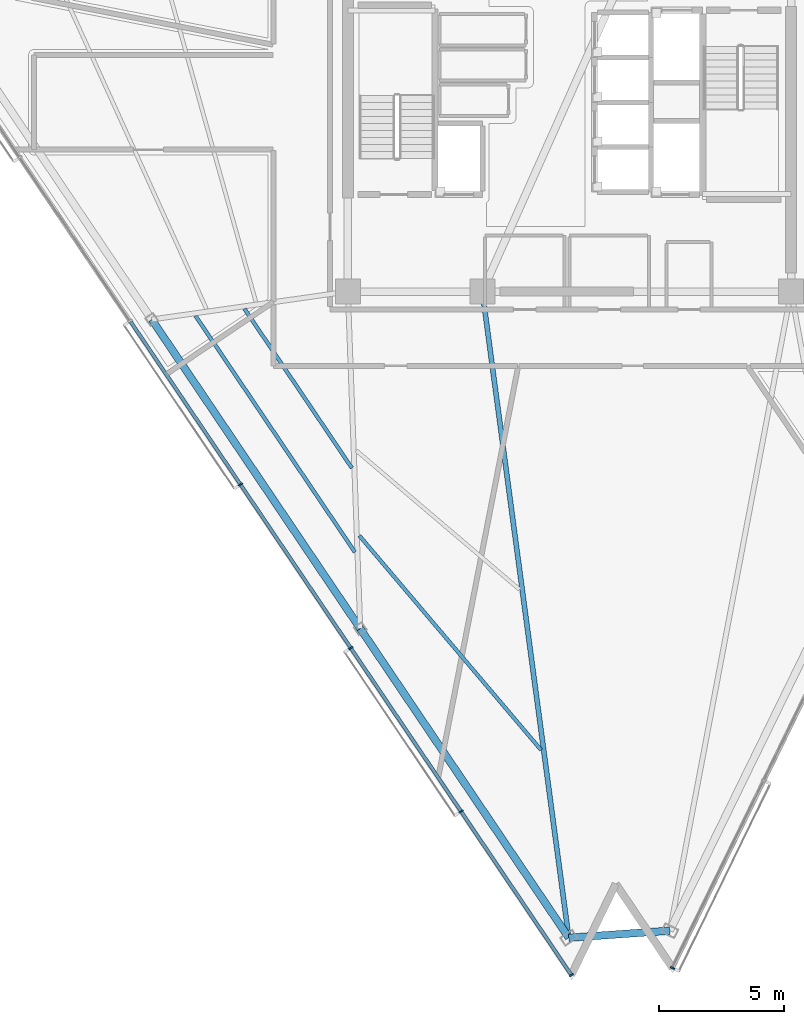
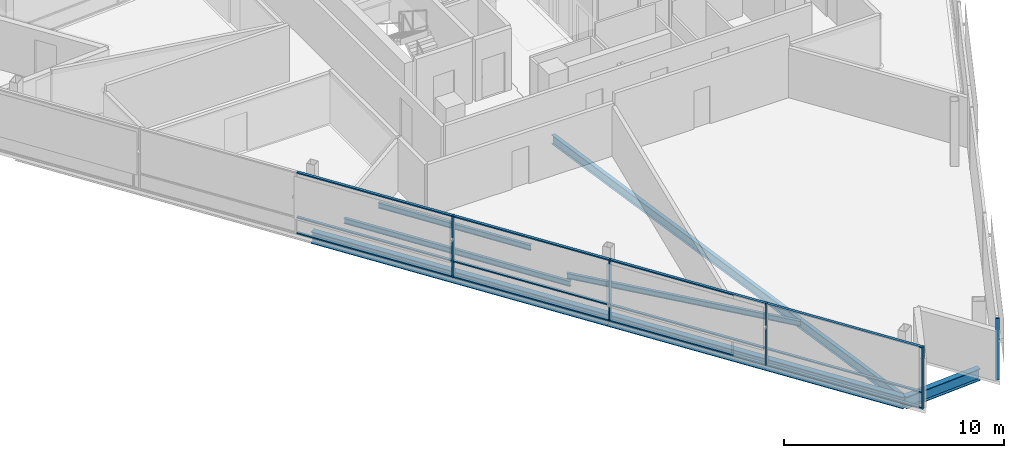
# One storey, part 2 of 16: 17 members, 7 beams, 2 elements without a shape of their own.
"""IFC4 building model written with IfcOpenShell, lengths in metres."""

from ifc_helpers import new_model, si_unit, direction, frame, origin, origin_2d, place, context, subcontext, project, spatial, rectangle, i_section, extrude, material, layer, layer_set, material_profile, profile_set, type_object, element, aggregate, save


model = new_model("IFC4")

# Units and contexts
model_context = context("Model", 3, precision=1e-05, world=origin(), true_north=direction((0.0, 1.0)))
body_context = subcontext(model_context, "Body", "Model", "MODEL_VIEW")
ifc_project = project(units=[si_unit("LENGTHUNIT", "METRE"), si_unit("AREAUNIT", "SQUARE_METRE"), si_unit("VOLUMEUNIT", "CUBIC_METRE"), si_unit("PLANEANGLEUNIT", "RADIAN"), si_unit("MASSUNIT", "GRAM", prefix="KILO")], contexts=[model_context])

# Site, building, storey
site_placement = place(None, origin())
site = spatial("IfcSite", under=ifc_project, at=site_placement, CompositionType="ELEMENT")
building_placement = place(site_placement, origin())
building = spatial("IfcBuilding", under=site, at=building_placement, Name="Tharavind Bronze Gate", CompositionType="ELEMENT")
storey_placement = place(building_placement, frame((0.0, 0.0, 264.199951171875)))
storey = spatial("IfcBuildingStorey", under=building, at=storey_placement, Name="L68", CompositionType="ELEMENT", Elevation=264.199951171875)

# Curtain wall, members
ifc_material_1 = material(Name="Anodised Bronze Aluminium", Category="aluminium")
ifc_layer = layer(ifc_material_1, 0.219970703125)
ifc_layer_set = layer_set([ifc_layer], Name="Anodised Bronze Aluminium")
curtain_wall_type = type_object("IfcCurtainWallType", Name="UNITISED CURTAIN WALL UPPER OFFICE", PredefinedType="USERDEFINED", material=ifc_layer_set)
curtain_wall_1_placement = place(storey_placement, origin())
curtain_wall_1 = element("IfcCurtainWall", 1, at=curtain_wall_1_placement, inside=storey, type_object=curtain_wall_type, Name="L68 unitised curtain wall upper office CW-L68-S1", ObjectType="UNITISED CURTAIN WALL", PredefinedType="USERDEFINED")
member_type_1 = type_object("IfcMemberType", Name="CURTAIN WALL BRONZE MULLION 65X180", PredefinedType="MULLION", material=ifc_material_1)
member_1_placement = place(storey_placement, frame((-13.211181640625, -15.3466796875, 0.0), z_axis=(0.0, 0.0, 1.0), x_axis=(0.559191456526, -0.82903854853, 0.0)))
member_1 = element("IfcMember", 2, at=member_1_placement, type_object=member_type_1, Name="CW-L68-S1 mullion 4", PredefinedType="MULLION", context=body_context, shape_type="SweptSolid", body=[
    extrude(rectangle(XDim=0.06494140625, YDim=0.179931640625, at=origin_2d()), origin(), (0.0, 0.0, 1.0), 3.419921875),
])
member_2_placement = place(storey_placement, frame((-8.781982421875, -21.912841796875, 0.0), z_axis=(0.0, 0.0, 1.0), x_axis=(0.559191456526, -0.82903854853, 0.0)))
member_2 = element("IfcMember", 3, at=member_2_placement, type_object=member_type_1, Name="CW-L68-S1 mullion 5", PredefinedType="MULLION", context=body_context, shape_type="SweptSolid", body=[
    extrude(rectangle(XDim=0.06494140625, YDim=0.179931640625, at=origin_2d()), origin(), (0.0, 0.0, 1.0), 3.419921875),
])
member_3_placement = place(storey_placement, frame((-4.35302734375, -28.47900390625, 0.0), z_axis=(0.0, 0.0, 1.0), x_axis=(0.559191456526, -0.82903854853, 0.0)))
member_3 = element("IfcMember", 4, at=member_3_placement, type_object=member_type_1, Name="CW-L68-S1 mullion 6", PredefinedType="MULLION", context=body_context, shape_type="SweptSolid", body=[
    extrude(rectangle(XDim=0.06494140625, YDim=0.179931640625, at=origin_2d()), origin(), (0.0, 0.0, 1.0), 3.419921875),
])
member_4_placement = place(storey_placement, frame((0.075927734375, -35.04541015625, 0.0), z_axis=(0.0, 0.0, 1.0), x_axis=(0.559191456526, -0.82903854853, 0.0)))
member_4 = element("IfcMember", 5, at=member_4_placement, type_object=member_type_1, Name="CW-L68-S1 mullion 7", PredefinedType="MULLION", context=body_context, shape_type="SweptSolid", body=[
    extrude(rectangle(XDim=0.06494140625, YDim=0.179931640625, at=origin_2d()), origin(), (0.0, 0.0, 1.0), 3.419921875),
])

# Curtain wall, member
curtain_wall_2_placement = place(storey_placement, origin())
curtain_wall_2 = element("IfcCurtainWall", 6, at=curtain_wall_2_placement, inside=storey, type_object=curtain_wall_type, Name="L68 unitised curtain wall upper office CW-L68-S2", ObjectType="UNITISED CURTAIN WALL", PredefinedType="USERDEFINED")
member_5_placement = place(storey_placement, frame((4.134033203125, -34.76171875, 0.0), z_axis=(0.0, 0.0, 1.0), x_axis=(0.43837271548, 0.898793281196, 0.0)))
member_5 = element("IfcMember", 7, at=member_5_placement, type_object=member_type_1, Name="CW-L68-S2 mullion 1", PredefinedType="MULLION", context=body_context, shape_type="SweptSolid", body=[
    extrude(rectangle(XDim=0.06494140625, YDim=0.179931640625, at=origin_2d()), origin(), (0.0, 0.0, 1.0), 3.419921875),
])
aggregate(curtain_wall_2, [member_5])

# Member
member_type_2 = type_object("IfcMemberType", Name="CURTAIN WALL BRONZE TRANSOM 65X140", PredefinedType="USERDEFINED", material=ifc_material_1)
member_6_placement = place(storey_placement, frame((-15.425537109375, -12.0634765625, 0.0), z_axis=(0.0, 0.0, 1.0), x_axis=(0.559191456526, -0.82903854853, 0.0)))
member_6 = element("IfcMember", 8, at=member_6_placement, type_object=member_type_2, Name="CW-L68-S1 transom TB3", ObjectType="TRANSOM", PredefinedType="USERDEFINED", context=body_context, shape_type="SweptSolid", body=[
    extrude(rectangle(XDim=7.8671875, YDim=0.139892578125, at=origin_2d()), origin(), (0.0, 0.0, 1.0), 0.06494140625),
])

member_7_placement = place(storey_placement, frame((-15.425537109375, -12.0634765625, 0.86767578125), z_axis=(0.0, 0.0, 1.0), x_axis=(0.559191456526, -0.82903854853, 0.0)))
member_7 = element("IfcMember", 9, at=member_7_placement, type_object=member_type_2, Name="CW-L68-S1 transom TS3", ObjectType="TRANSOM", PredefinedType="USERDEFINED", context=body_context, shape_type="SweptSolid", body=[
    extrude(rectangle(XDim=7.8671875, YDim=0.139892578125, at=origin_2d()), origin(), (0.0, 0.0, 1.0), 0.06494140625),
])

member_8_placement = place(storey_placement, frame((-15.425537109375, -12.0634765625, 3.35498046875), z_axis=(0.0, 0.0, 1.0), x_axis=(0.559191456526, -0.82903854853, 0.0)))
member_8 = element("IfcMember", 10, at=member_8_placement, type_object=member_type_2, Name="CW-L68-S1 transom TT3", ObjectType="TRANSOM", PredefinedType="USERDEFINED", context=body_context, shape_type="SweptSolid", body=[
    extrude(rectangle(XDim=7.8671875, YDim=0.139892578125, at=origin_2d()), origin(), (0.0, 0.0, 1.0), 0.06494140625),
])

member_9_placement = place(storey_placement, frame((-10.99658203125, -18.629638671875, 0.0), z_axis=(0.0, 0.0, 1.0), x_axis=(0.559191456526, -0.82903854853, 0.0)))
member_9 = element("IfcMember", 11, at=member_9_placement, type_object=member_type_2, Name="CW-L68-S1 transom TB4", ObjectType="TRANSOM", PredefinedType="USERDEFINED", context=body_context, shape_type="SweptSolid", body=[
    extrude(rectangle(XDim=7.8671875, YDim=0.139892578125, at=origin_2d()), origin(), (0.0, 0.0, 1.0), 0.06494140625),
])

member_10_placement = place(storey_placement, frame((-10.99658203125, -18.629638671875, 0.86767578125), z_axis=(0.0, 0.0, 1.0), x_axis=(0.559191456526, -0.82903854853, 0.0)))
member_10 = element("IfcMember", 12, at=member_10_placement, type_object=member_type_2, Name="CW-L68-S1 transom TS4", ObjectType="TRANSOM", PredefinedType="USERDEFINED", context=body_context, shape_type="SweptSolid", body=[
    extrude(rectangle(XDim=7.8671875, YDim=0.139892578125, at=origin_2d()), origin(), (0.0, 0.0, 1.0), 0.06494140625),
])

member_11_placement = place(storey_placement, frame((-10.99658203125, -18.629638671875, 3.35498046875), z_axis=(0.0, 0.0, 1.0), x_axis=(0.559191456526, -0.82903854853, 0.0)))
member_11 = element("IfcMember", 13, at=member_11_placement, type_object=member_type_2, Name="CW-L68-S1 transom TT4", ObjectType="TRANSOM", PredefinedType="USERDEFINED", context=body_context, shape_type="SweptSolid", body=[
    extrude(rectangle(XDim=7.8671875, YDim=0.139892578125, at=origin_2d()), origin(), (0.0, 0.0, 1.0), 0.06494140625),
])

member_12_placement = place(storey_placement, frame((-6.567626953125, -25.196044921875, 0.0), z_axis=(0.0, 0.0, 1.0), x_axis=(0.559191456526, -0.82903854853, 0.0)))
member_12 = element("IfcMember", 14, at=member_12_placement, type_object=member_type_2, Name="CW-L68-S1 transom TB5", ObjectType="TRANSOM", PredefinedType="USERDEFINED", context=body_context, shape_type="SweptSolid", body=[
    extrude(rectangle(XDim=7.8671875, YDim=0.139892578125, at=origin_2d()), origin(), (0.0, 0.0, 1.0), 0.06494140625),
])

member_13_placement = place(storey_placement, frame((-6.567626953125, -25.196044921875, 0.86767578125), z_axis=(0.0, 0.0, 1.0), x_axis=(0.559191456526, -0.82903854853, 0.0)))
member_13 = element("IfcMember", 15, at=member_13_placement, type_object=member_type_2, Name="CW-L68-S1 transom TS5", ObjectType="TRANSOM", PredefinedType="USERDEFINED", context=body_context, shape_type="SweptSolid", body=[
    extrude(rectangle(XDim=7.8671875, YDim=0.139892578125, at=origin_2d()), origin(), (0.0, 0.0, 1.0), 0.06494140625),
])

member_14_placement = place(storey_placement, frame((-6.567626953125, -25.196044921875, 3.35498046875), z_axis=(0.0, 0.0, 1.0), x_axis=(0.559191456526, -0.82903854853, 0.0)))
member_14 = element("IfcMember", 16, at=member_14_placement, type_object=member_type_2, Name="CW-L68-S1 transom TT5", ObjectType="TRANSOM", PredefinedType="USERDEFINED", context=body_context, shape_type="SweptSolid", body=[
    extrude(rectangle(XDim=7.8671875, YDim=0.139892578125, at=origin_2d()), origin(), (0.0, 0.0, 1.0), 0.06494140625),
])

member_15_placement = place(storey_placement, frame((-2.138671875, -31.76220703125, 0.0), z_axis=(0.0, 0.0, 1.0), x_axis=(0.559191456526, -0.82903854853, 0.0)))
member_15 = element("IfcMember", 17, at=member_15_placement, type_object=member_type_2, Name="CW-L68-S1 transom TB6", ObjectType="TRANSOM", PredefinedType="USERDEFINED", context=body_context, shape_type="SweptSolid", body=[
    extrude(rectangle(XDim=7.8671875, YDim=0.139892578125, at=origin_2d()), origin(), (0.0, 0.0, 1.0), 0.06494140625),
])

member_16_placement = place(storey_placement, frame((-2.138671875, -31.76220703125, 0.86767578125), z_axis=(0.0, 0.0, 1.0), x_axis=(0.559191456526, -0.82903854853, 0.0)))
member_16 = element("IfcMember", 18, at=member_16_placement, type_object=member_type_2, Name="CW-L68-S1 transom TS6", ObjectType="TRANSOM", PredefinedType="USERDEFINED", context=body_context, shape_type="SweptSolid", body=[
    extrude(rectangle(XDim=7.8671875, YDim=0.139892578125, at=origin_2d()), origin(), (0.0, 0.0, 1.0), 0.06494140625),
])

member_17_placement = place(storey_placement, frame((-2.138671875, -31.76220703125, 3.35498046875), z_axis=(0.0, 0.0, 1.0), x_axis=(0.559191456526, -0.82903854853, 0.0)))
member_17 = element("IfcMember", 19, at=member_17_placement, type_object=member_type_2, Name="CW-L68-S1 transom TT6", ObjectType="TRANSOM", PredefinedType="USERDEFINED", context=body_context, shape_type="SweptSolid", body=[
    extrude(rectangle(XDim=7.8671875, YDim=0.139892578125, at=origin_2d()), origin(), (0.0, 0.0, 1.0), 0.06494140625),
])

aggregate(curtain_wall_1, [member_1, member_2, member_3, member_4, member_6, member_7, member_8, member_9, member_10, member_11, member_12, member_13, member_14, member_15, member_16, member_17])

# Beams
ifc_material_2 = material(Name="Steel S355", Category="steel")
ifc_material_profile_1 = material_profile(ifc_material_2, i_section(OverallWidth=0.300048828125, OverallDepth=0.64990234375, WebThickness=0.01611328125, FlangeThickness=0.031005859375, at=origin_2d()), Name="HE650B")
ifc_profile_set_1 = profile_set([ifc_material_profile_1], Name="Steel S355")
beam_type_1 = type_object("IfcBeamType", Name="PRIMARY GIRDER HE650B", PredefinedType="USERDEFINED", material=ifc_profile_set_1)
for number, where, z_axis, x_axis, name in (
    (20, (-16.776123046875, -8.719970703125, -0.5048828125), (0.559195614283, -0.829035744083, 0.0), (0.829035744083, 0.559195614283, 0.0), "L68 primary girder he650b BM-L68-PRG02"),
    (21, (-8.40234375, -21.134521484375, -0.5048828125), (0.559184408692, -0.829043302292, 0.0), (0.829043302292, 0.559184408692, 0.0), "L68 primary girder he650b BM-L68-PRG03"),
):
    element("IfcBeam", number, at=place(storey_placement, frame(where, z_axis=z_axis, x_axis=x_axis)), inside=storey, type_object=beam_type_1, Name=name, ObjectType="GIRDER", PredefinedType="USERDEFINED", context=body_context, shape_type="SweptSolid", body=[
        extrude(i_section(OverallWidth=0.300048828125, OverallDepth=0.64990234375, WebThickness=0.01611328125, FlangeThickness=0.031005859375, at=origin_2d()), origin(), (0.0, 0.0, 1.0), 14.974609375),
    ])
beam_1_placement = place(storey_placement, frame((-0.02880859375, -33.549072265625, -0.5048828125), z_axis=(0.997561224107, 0.069796877851, 0.0), x_axis=(-0.069796877851, 0.997561224107, 0.0)))
element("IfcBeam", 22, at=beam_1_placement, inside=storey, type_object=beam_type_1, Name="L68 primary girder he650b BM-L68-PRG04", ObjectType="GIRDER", PredefinedType="USERDEFINED", context=body_context, shape_type="SweptSolid", body=[
    extrude(i_section(OverallWidth=0.300048828125, OverallDepth=0.64990234375, WebThickness=0.01611328125, FlangeThickness=0.031005859375, at=origin_2d()), origin(), (0.0, 0.0, 1.0), 4.068115234375),
])
ifc_material_profile_2 = material_profile(ifc_material_2, i_section(OverallWidth=0.199951171875, OverallDepth=0.5, WebThickness=0.01025390625, FlangeThickness=0.01611328125, at=origin_2d()), Name="IPE500")
ifc_profile_set_2 = profile_set([ifc_material_profile_2], Name="Steel S355")
beam_type_2 = type_object("IfcBeamType", Name="PRIMARY GIRDER IPE500", PredefinedType="USERDEFINED", material=ifc_profile_set_2)
beam_2_placement = place(storey_placement, frame((-0.02880859375, -33.549072265625, -0.429931640625), z_axis=(-0.132588849442, 0.991171123976, 0.0), x_axis=(-0.991171123976, -0.132588849442, 0.0)))
element("IfcBeam", 23, at=beam_2_placement, inside=storey, type_object=beam_type_2, Name="L68 primary girder ipe500 BM-L68-RAD04", ObjectType="GIRDER", PredefinedType="USERDEFINED", context=body_context, shape_type="SweptSolid", body=[
    extrude(i_section(OverallWidth=0.199951171875, OverallDepth=0.5, WebThickness=0.01025390625, FlangeThickness=0.01611328125, at=origin_2d()), origin(), (0.0, 0.0, 1.0), 26.18017578125),
])
ifc_material_profile_3 = material_profile(ifc_material_2, i_section(OverallWidth=0.14990234375, OverallDepth=0.300048828125, WebThickness=0.007080078125, FlangeThickness=0.0107421875, at=origin_2d()), Name="IPE300")
ifc_profile_set_3 = profile_set([ifc_material_profile_3], Name="Steel S355")
beam_type_3 = type_object("IfcBeamType", Name="SECONDARY FLOOR JOIST IPE300", PredefinedType="JOIST", material=ifc_profile_set_3)
beam_3_placement = place(storey_placement, frame((-13.04931640625, -8.294677734375, -0.329833984375), z_axis=(0.559190305192, -0.82903932511, 0.0), x_axis=(0.82903932511, 0.559190305192, 0.0)))
element("IfcBeam", 24, at=beam_3_placement, inside=storey, type_object=beam_type_3, Name="L68 secondary floor joist ipe300 BM-L68-JSTA02", PredefinedType="JOIST", context=body_context, shape_type="SweptSolid", body=[
    extrude(i_section(OverallWidth=0.14990234375, OverallDepth=0.300048828125, WebThickness=0.007080078125, FlangeThickness=0.0107421875, at=origin_2d()), origin(), (0.0, 0.0, 1.0), 7.702880859375),
])
beam_4_placement = place(storey_placement, frame((-15.018310546875, -8.57470703125, -0.329833984375), z_axis=(0.559200650342, -0.829032347172, 0.0), x_axis=(0.829032347172, 0.559200650342, 0.0)))
element("IfcBeam", 25, at=beam_4_placement, inside=storey, type_object=beam_type_3, Name="L68 secondary floor joist ipe300 BM-L68-JSTB02", PredefinedType="JOIST", context=body_context, shape_type="SweptSolid", body=[
    extrude(i_section(OverallWidth=0.14990234375, OverallDepth=0.300048828125, WebThickness=0.007080078125, FlangeThickness=0.0107421875, at=origin_2d()), origin(), (0.0, 0.0, 1.0), 11.446533203125),
])
beam_5_placement = place(storey_placement, frame((-8.43701171875, -17.403564453125, -0.329833984375), z_axis=(0.646710156103, -0.762735848111, 0.0), x_axis=(0.762735848111, 0.646710156103, 0.0)))
element("IfcBeam", 26, at=beam_5_placement, inside=storey, type_object=beam_type_3, Name="L68 secondary floor joist ipe300 BM-L68-JSTB03", PredefinedType="JOIST", context=body_context, shape_type="SweptSolid", body=[
    extrude(i_section(OverallWidth=0.14990234375, OverallDepth=0.300048828125, WebThickness=0.007080078125, FlangeThickness=0.0107421875, at=origin_2d()), origin(), (0.0, 0.0, 1.0), 11.28271484375),
])

save(model, "model.ifc")
